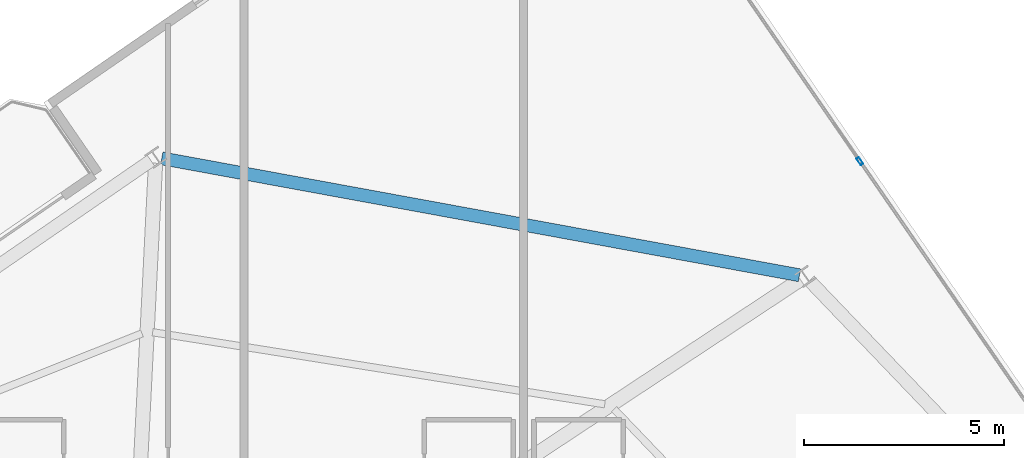
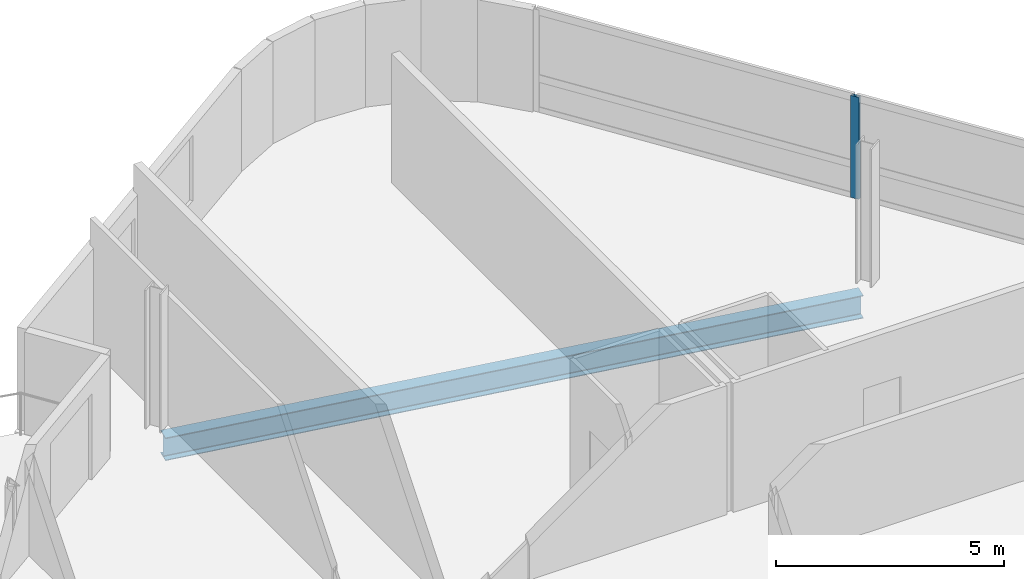
# One storey, part 9 of 22: 1 beam, 1 member, 1 element without a shape of its own.
"""IFC4 building model written with IfcOpenShell, lengths in metres."""

from ifc_helpers import new_model, si_unit, direction, frame, origin, origin_2d, place, context, subcontext, project, spatial, hollow_rectangle, i_section, extrude, material, layer, layer_set, material_profile, profile_set, type_object, element, aggregate, save


model = new_model("IFC4")

# Units and contexts
model_context = context("Model", 3, precision=1e-05, world=origin(), true_north=direction((0.0, 1.0)))
body_context = subcontext(model_context, "Body", "Model", "MODEL_VIEW")
ifc_project = project(units=[si_unit("LENGTHUNIT", "METRE"), si_unit("AREAUNIT", "SQUARE_METRE"), si_unit("VOLUMEUNIT", "CUBIC_METRE"), si_unit("PLANEANGLEUNIT", "RADIAN"), si_unit("MASSUNIT", "GRAM", prefix="KILO")], contexts=[model_context])

# Site, building, storey
site_placement = place(None, origin())
site = spatial("IfcSite", under=ifc_project, at=site_placement, CompositionType="ELEMENT")
building_placement = place(site_placement, origin())
building = spatial("IfcBuilding", under=site, at=building_placement, Name="Varnelok Gate Tower", CompositionType="ELEMENT")
storey_placement = place(building_placement, frame((0.0, 0.0, 280.39990234375)))
storey = spatial("IfcBuildingStorey", under=building, at=storey_placement, Name="L72", CompositionType="ELEMENT", Elevation=280.39990234375)

# Beam
ifc_material_1 = material(Name="Structural Steel ASTM A992 Grade 50", Category="steel")
ifc_material_profile_1 = material_profile(ifc_material_1, i_section(OverallWidth=0.323974609375, OverallDepth=0.611083984375, WebThickness=0.0126953125, FlangeThickness=0.01904296875, FilletRadius=0.01806640625, at=origin_2d()), Name="W24X104")
ifc_profile_set_1 = profile_set([ifc_material_profile_1], Name="Structural Steel ASTM A992 Grade 50")
beam_type = type_object("IfcBeamType", Name="BM-SPN-W24X104", PredefinedType="SPANDREL", material=ifc_profile_set_1)
beam_placement = place(storey_placement, frame((60.406005859375, 47.564453125, -0.555419921875), z_axis=(-0.98359926462, 0.180367642995, 0.0), x_axis=(-0.180367642995, -0.98359926462, 0.0)))
element("IfcBeam", 1, at=beam_placement, inside=storey, type_object=beam_type, Name="L72 Perimeter Spandrel Beam 8", PredefinedType="SPANDREL", context=body_context, shape_type="SweptSolid", body=[
    extrude(i_section(OverallWidth=0.323974609375, OverallDepth=0.611083984375, WebThickness=0.0126953125, FlangeThickness=0.01904296875, FilletRadius=0.01806640625, at=origin_2d()), origin(), (0.0, 0.0, 1.0), 16.23193359375),
])

# Curtain wall, member
ifc_material_2 = material(Name="Anodized Aluminum Alloy 6063-T6", Category="aluminium")
ifc_layer = layer(ifc_material_2, 0.179931640625)
ifc_layer_set = layer_set([ifc_layer], Name="Anodized Aluminum Alloy 6063-T6")
curtain_wall_type = type_object("IfcCurtainWallType", Name="CW4-RESIDENCE-VISION", PredefinedType="USERDEFINED", material=ifc_layer_set)
curtain_wall_placement = place(storey_placement, origin())
curtain_wall = element("IfcCurtainWall", 2, at=curtain_wall_placement, inside=storey, type_object=curtain_wall_type, Name="L72 East End Vision Curtain Wall", ObjectType="UNITISED CURTAIN WALL", PredefinedType="USERDEFINED")
ifc_material_profile_2 = material_profile(ifc_material_2, hollow_rectangle(XDim=0.074951171875, YDim=0.199951171875, WallThickness=0.00390625, at=origin_2d()), Name="ALU200X75X4")
ifc_profile_set_2 = profile_set([ifc_material_profile_2], Name="Anodized Aluminum Alloy 6063-T6")
member_type = type_object("IfcMemberType", Name="CW-MULL-200", PredefinedType="MULLION", material=ifc_profile_set_2)
member_placement = place(storey_placement, frame((61.9189453125, 50.420654296875, 0.0), z_axis=(0.0, 0.0, 1.0), x_axis=(0.823532290241, 0.567269395376, 0.0)))
member = element("IfcMember", 3, at=member_placement, type_object=member_type, Name="CW4 mullion 2", PredefinedType="MULLION", context=body_context, shape_type="SweptSolid", body=[
    extrude(hollow_rectangle(XDim=0.074951171875, YDim=0.199951171875, WallThickness=0.00390625, at=origin_2d()), origin(), (0.0, 0.0, 1.0), 2.72998046875),
])
aggregate(curtain_wall, [member])

save(model, "model.ifc")
